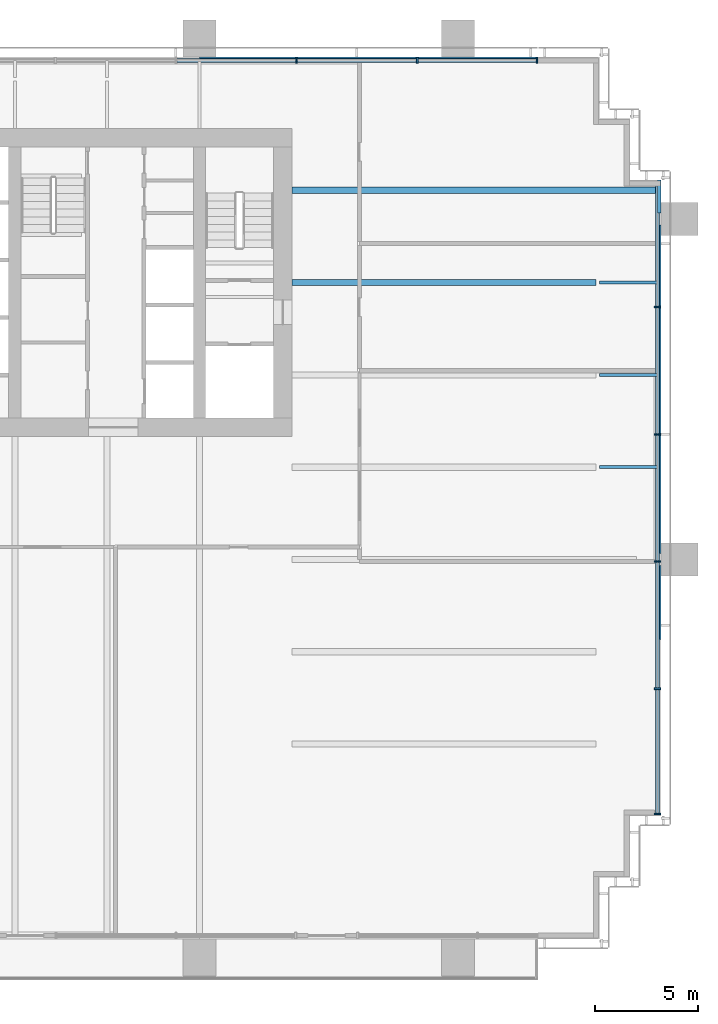
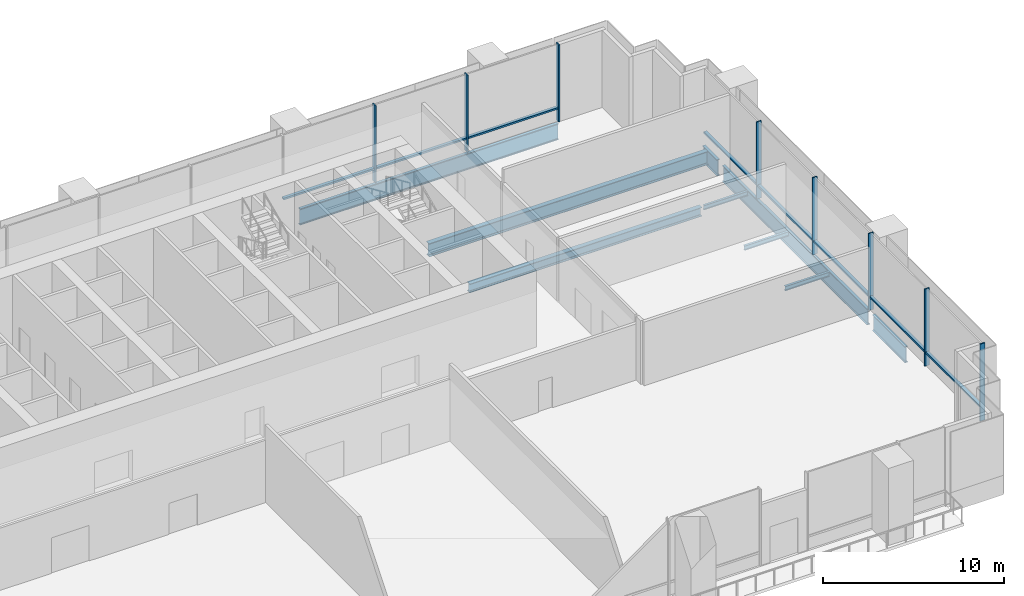
# One storey, part 5 of 15: 16 members, 9 beams, 2 elements without a shape of their own.
"""IFC4 building model written with IfcOpenShell, lengths in metres."""

from ifc_helpers import new_model, si_unit, direction, frame, origin, origin_2d, place, context, subcontext, project, spatial, rectangle, i_section, extrude, material, layer, layer_set, material_profile, profile_set, type_object, element, aggregate, save


model = new_model("IFC4")

# Units and contexts
model_context = context("Model", 3, precision=1e-05, world=origin(), true_north=direction((0.0, 1.0)))
body_context = subcontext(model_context, "Body", "Model", "MODEL_VIEW")
ifc_project = project(units=[si_unit("LENGTHUNIT", "METRE"), si_unit("AREAUNIT", "SQUARE_METRE"), si_unit("VOLUMEUNIT", "CUBIC_METRE"), si_unit("PLANEANGLEUNIT", "RADIAN"), si_unit("MASSUNIT", "GRAM", prefix="KILO")], contexts=[model_context])

# Site, building, storey
site_placement = place(None, origin())
site = spatial("IfcSite", under=ifc_project, at=site_placement, CompositionType="ELEMENT")
building_placement = place(site_placement, origin())
building = spatial("IfcBuilding", under=site, at=building_placement, Name="Rattan Terrace Tower", CompositionType="ELEMENT")
storey_placement = place(building_placement, frame((0.0, 0.0, 74.300048828125)))
storey = spatial("IfcBuildingStorey", under=building, at=storey_placement, Name="L16", CompositionType="ELEMENT", Elevation=74.300048828125)

# Beams
ifc_material_1 = material(Name="Steel S460", Category="steel")
ifc_material_profile_1 = material_profile(ifc_material_1, i_section(OverallWidth=0.179931640625, OverallDepth=1.10009765625, WebThickness=0.01611328125, FlangeThickness=0.050048828125, at=origin_2d()), Name="PG 1100x180-16-50")
ifc_profile_set_1 = profile_set([ifc_material_profile_1], Name="Steel S460")
beam_type_1 = type_object("IfcBeamType", Name="Frame edge girder PG 1100x180-16-50", PredefinedType="SPANDREL", material=ifc_profile_set_1)
beam_1_placement = place(storey_placement, frame((35.909912109375, -13.800048828125, -0.75), z_axis=(0.0, -1.0, 0.0), x_axis=(1.0, 0.0, 0.0)))
element("IfcBeam", 1, at=beam_1_placement, inside=storey, type_object=beam_type_1, Name="gdr-L16-005", PredefinedType="SPANDREL", context=body_context, shape_type="SweptSolid", body=[
    extrude(i_section(OverallWidth=0.179931640625, OverallDepth=1.10009765625, WebThickness=0.01611328125, FlangeThickness=0.050048828125, at=origin_2d()), origin(), (0.0, 0.0, 1.0), 3.599853515625),
])
beam_2_placement = place(storey_placement, frame((35.909912109375, -13.199951171875, -0.75), z_axis=(0.0, 1.0, 0.0), x_axis=(-1.0, 0.0, 0.0)))
element("IfcBeam", 2, at=beam_2_placement, inside=storey, type_object=beam_type_1, Name="gdr-L16-006", PredefinedType="SPANDREL", context=body_context, shape_type="SweptSolid", body=[
    extrude(i_section(OverallWidth=0.179931640625, OverallDepth=1.10009765625, WebThickness=0.01611328125, FlangeThickness=0.050048828125, at=origin_2d()), origin(), (0.0, 0.0, 1.0), 16.0),
])
beam_3_placement = place(storey_placement, frame((35.909912109375, 3.39990234375, -0.75), z_axis=(0.0, 1.0, 0.0), x_axis=(-1.0, 0.0, 0.0)))
element("IfcBeam", 3, at=beam_3_placement, inside=storey, type_object=beam_type_1, Name="gdr-L16-009", PredefinedType="SPANDREL", context=body_context, shape_type="SweptSolid", body=[
    extrude(i_section(OverallWidth=0.179931640625, OverallDepth=1.10009765625, WebThickness=0.01611328125, FlangeThickness=0.050048828125, at=origin_2d()), origin(), (0.0, 0.0, 1.0), 1.60009765625),
])
beam_4_placement = place(storey_placement, frame((30.0, 10.909912109375, -0.75), z_axis=(-1.0, 0.0, 0.0), x_axis=(0.0, -1.0, 0.0)))
element("IfcBeam", 4, at=beam_4_placement, inside=storey, type_object=beam_type_1, Name="gdr-L16-012", PredefinedType="SPANDREL", context=body_context, shape_type="SweptSolid", body=[
    extrude(i_section(OverallWidth=0.179931640625, OverallDepth=1.10009765625, WebThickness=0.01611328125, FlangeThickness=0.050048828125, at=origin_2d()), origin(), (0.0, 0.0, 1.0), 16.5),
])
ifc_material_2 = material(Name="Steel S355", Category="steel")
ifc_material_profile_2 = material_profile(ifc_material_2, i_section(OverallWidth=0.300048828125, OverallDepth=0.60009765625, WebThickness=0.015380859375, FlangeThickness=0.030029296875, FilletRadius=0.027099609375, at=origin_2d()), Name="HE 600 B")
ifc_profile_set_2 = profile_set([ifc_material_profile_2], Name="Steel S355")
beam_type_2 = type_object("IfcBeamType", Name="Frame floor beam HE 600 B", PredefinedType="JOIST", material=ifc_profile_set_2)
beam_5_placement = place(storey_placement, frame((18.0, 0.0, -0.5), z_axis=(1.0, 0.0, 0.0), x_axis=(0.0, 1.0, 0.0)))
element("IfcBeam", 5, at=beam_5_placement, inside=storey, type_object=beam_type_2, Name="bm-L16-020", PredefinedType="JOIST", context=body_context, shape_type="SweptSolid", body=[
    extrude(i_section(OverallWidth=0.300048828125, OverallDepth=0.60009765625, WebThickness=0.015380859375, FlangeThickness=0.030029296875, FilletRadius=0.027099609375, at=origin_2d()), origin(), (0.0, 0.0, 1.0), 14.820068359375),
])
ifc_material_3 = material(Name="Steel S355", Category="steel")
ifc_material_profile_3 = material_profile(ifc_material_3, i_section(OverallWidth=0.300048828125, OverallDepth=0.89990234375, WebThickness=0.0185546875, FlangeThickness=0.034912109375, FilletRadius=0.030029296875, at=origin_2d()), Name="HE 900 B")
ifc_profile_set_3 = profile_set([ifc_material_profile_3], Name="Steel S355")
beam_type_3 = type_object("IfcBeamType", Name="Frame floor beam HE 900 B", PredefinedType="JOIST", material=ifc_profile_set_3)
beam_6_placement = place(storey_placement, frame((18.0, 4.5, -0.650146484375), z_axis=(1.0, 0.0, 0.0), x_axis=(0.0, 1.0, 0.0)))
element("IfcBeam", 6, at=beam_6_placement, inside=storey, type_object=beam_type_3, Name="bm-L16-023", PredefinedType="JOIST", context=body_context, shape_type="SweptSolid", body=[
    extrude(i_section(OverallWidth=0.300048828125, OverallDepth=0.89990234375, WebThickness=0.0185546875, FlangeThickness=0.034912109375, FilletRadius=0.030029296875, at=origin_2d()), origin(), (0.0, 0.0, 1.0), 17.820068359375),
])
ifc_material_4 = material(Name="Steel S355", Category="steel")
ifc_material_profile_4 = material_profile(ifc_material_4, i_section(OverallWidth=0.14990234375, OverallDepth=0.300048828125, WebThickness=0.007080078125, FlangeThickness=0.0107421875, FilletRadius=0.014892578125, at=origin_2d()), Name="IPE 300")
ifc_profile_set_4 = profile_set([ifc_material_profile_4], Name="Steel S355")
beam_type_4 = type_object("IfcBeamType", Name="Frame floor beam IPE 300", PredefinedType="JOIST", material=ifc_profile_set_4)
for number, where, z_axis, x_axis, name in (
    (7, (33.0, -9.0, -0.35009765625), (1.0, 0.0, 0.0), (0.0, 1.0, 0.0), "bm-L16-015"),
    (8, (33.0, -4.5, -0.35009765625), (1.0, 0.0, 0.0), (0.0, 1.0, 0.0), "bm-L16-018"),
    (9, (33.0, 0.0, -0.35009765625), (1.0, 0.0, 0.0), (0.0, 1.0, 0.0), "bm-L16-021"),
):
    element("IfcBeam", number, at=place(storey_placement, frame(where, z_axis=z_axis, x_axis=x_axis)), inside=storey, type_object=beam_type_4, Name=name, PredefinedType="JOIST", context=body_context, shape_type="SweptSolid", body=[
        extrude(i_section(OverallWidth=0.14990234375, OverallDepth=0.300048828125, WebThickness=0.007080078125, FlangeThickness=0.0107421875, FilletRadius=0.014892578125, at=origin_2d()), origin(), (0.0, 0.0, 1.0), 2.820068359375),
    ])

# Curtain wall, members
ifc_material_5 = material(Name="Steel fins, aluminium and glass", Category="steel")
ifc_layer = layer(ifc_material_5, 0.300048828125)
ifc_layer_set = layer_set([ifc_layer], Name="Sky Lobby Stick Curtain Wall")
curtain_wall_type = type_object("IfcCurtainWallType", Name="Sky Lobby Stick Curtain Wall", PredefinedType="NOTDEFINED", material=ifc_layer_set)
curtain_wall_1_placement = place(storey_placement, origin())
curtain_wall_1 = element("IfcCurtainWall", 10, at=curtain_wall_1_placement, inside=storey, type_object=curtain_wall_type, Name="Sky lobby curtain wall L16-1", PredefinedType="NOTDEFINED")
ifc_material_6 = material(Name="Steel S355", Category="steel")
ifc_material_profile_5 = material_profile(ifc_material_6, rectangle(XDim=0.080078125, YDim=0.300048828125, at=origin_2d()), Name="Steel S355 80x300")
ifc_profile_set_5 = profile_set([ifc_material_profile_5], Name="Steel S355")
member_type_1 = type_object("IfcMemberType", Name="Sky Lobby CW Fin 80x300", PredefinedType="MULLION", material=ifc_profile_set_5)
member_1_placement = place(storey_placement, frame((35.830078125, -25.9150390625, 0.0), z_axis=(0.0, 0.0, 1.0), x_axis=(0.0, 1.0, 0.0)))
member_1 = element("IfcMember", 11, at=member_1_placement, type_object=member_type_1, Name="Mullion cwl-L16-001.1", PredefinedType="MULLION", context=body_context, shape_type="SweptSolid", body=[
    extrude(rectangle(XDim=0.080078125, YDim=0.300048828125, at=origin_2d()), origin(), (0.0, 0.0, 1.0), 5.199951171875),
])
member_2_placement = place(storey_placement, frame((35.830078125, -19.800048828125, 0.0), z_axis=(0.0, 0.0, 1.0), x_axis=(0.0, 1.0, 0.0)))
member_2 = element("IfcMember", 12, at=member_2_placement, type_object=member_type_1, Name="Mullion cwl-L16-001.2", PredefinedType="MULLION", context=body_context, shape_type="SweptSolid", body=[
    extrude(rectangle(XDim=0.080078125, YDim=0.300048828125, at=origin_2d()), origin(), (0.0, 0.0, 1.0), 5.199951171875),
])
member_3_placement = place(storey_placement, frame((35.830078125, -13.60009765625, 0.0), z_axis=(0.0, 0.0, 1.0), x_axis=(0.0, 1.0, 0.0)))
member_3 = element("IfcMember", 13, at=member_3_placement, type_object=member_type_1, Name="Mullion cwl-L16-001.3", PredefinedType="MULLION", context=body_context, shape_type="SweptSolid", body=[
    extrude(rectangle(XDim=0.080078125, YDim=0.300048828125, at=origin_2d()), origin(), (0.0, 0.0, 1.0), 5.199951171875),
])
member_4_placement = place(storey_placement, frame((35.830078125, -7.39990234375, 0.0), z_axis=(0.0, 0.0, 1.0), x_axis=(0.0, 1.0, 0.0)))
member_4 = element("IfcMember", 14, at=member_4_placement, type_object=member_type_1, Name="Mullion cwl-L16-001.4", PredefinedType="MULLION", context=body_context, shape_type="SweptSolid", body=[
    extrude(rectangle(XDim=0.080078125, YDim=0.300048828125, at=origin_2d()), origin(), (0.0, 0.0, 1.0), 5.199951171875),
])
member_5_placement = place(storey_placement, frame((35.830078125, -1.199951171875, 0.0), z_axis=(0.0, 0.0, 1.0), x_axis=(0.0, 1.0, 0.0)))
member_5 = element("IfcMember", 15, at=member_5_placement, type_object=member_type_1, Name="Mullion cwl-L16-001.5", PredefinedType="MULLION", context=body_context, shape_type="SweptSolid", body=[
    extrude(rectangle(XDim=0.080078125, YDim=0.300048828125, at=origin_2d()), origin(), (0.0, 0.0, 1.0), 5.199951171875),
])

curtain_wall_2_placement = place(storey_placement, origin())
curtain_wall_2 = element("IfcCurtainWall", 16, at=curtain_wall_2_placement, inside=storey, type_object=curtain_wall_type, Name="Sky lobby curtain wall L16-2", PredefinedType="NOTDEFINED")
member_6_placement = place(storey_placement, frame((29.9599609375, 10.830078125, 0.0), z_axis=(0.0, 0.0, 1.0), x_axis=(-1.0, 0.0, 0.0)))
member_6 = element("IfcMember", 17, at=member_6_placement, type_object=member_type_1, Name="Mullion cwl-L16-002.1", PredefinedType="MULLION", context=body_context, shape_type="SweptSolid", body=[
    extrude(rectangle(XDim=0.080078125, YDim=0.300048828125, at=origin_2d()), origin(), (0.0, 0.0, 1.0), 5.199951171875),
])
member_7_placement = place(storey_placement, frame((24.117919921875, 10.830078125, 0.0), z_axis=(0.0, 0.0, 1.0), x_axis=(-1.0, 0.0, 0.0)))
member_7 = element("IfcMember", 18, at=member_7_placement, type_object=member_type_1, Name="Mullion cwl-L16-002.2", PredefinedType="MULLION", context=body_context, shape_type="SweptSolid", body=[
    extrude(rectangle(XDim=0.080078125, YDim=0.300048828125, at=origin_2d()), origin(), (0.0, 0.0, 1.0), 5.199951171875),
])
member_8_placement = place(storey_placement, frame((18.236083984375, 10.830078125, 0.0), z_axis=(0.0, 0.0, 1.0), x_axis=(-1.0, 0.0, 0.0)))
member_8 = element("IfcMember", 19, at=member_8_placement, type_object=member_type_1, Name="Mullion cwl-L16-002.3", PredefinedType="MULLION", context=body_context, shape_type="SweptSolid", body=[
    extrude(rectangle(XDim=0.080078125, YDim=0.300048828125, at=origin_2d()), origin(), (0.0, 0.0, 1.0), 5.199951171875),
])

# Member
ifc_material_7 = material(Name="Aluminium", Category="aluminium")
ifc_material_profile_6 = material_profile(ifc_material_7, rectangle(XDim=0.199951171875, YDim=0.1201171875, at=origin_2d()), Name="Aluminium 200x120")
ifc_profile_set_6 = profile_set([ifc_material_profile_6], Name="Aluminium")
member_type_2 = type_object("IfcMemberType", Name="Sky Lobby CW Transom 200x120", PredefinedType="USERDEFINED", material=ifc_profile_set_6)
member_9_placement = place(storey_placement, frame((35.830078125, -25.875, 0.89990234375), z_axis=(0.0, 1.0, 0.0), x_axis=(-1.0, 0.0, 0.0)))
member_9 = element("IfcMember", 20, at=member_9_placement, type_object=member_type_2, Name="Transom cwl-L16-001.1", ObjectType="TRANSOM", PredefinedType="USERDEFINED", context=body_context, shape_type="SweptSolid", body=[
    extrude(rectangle(XDim=0.199951171875, YDim=0.1201171875, at=origin_2d()), origin(), (0.0, 0.0, 1.0), 6.034912109375),
])

member_10_placement = place(storey_placement, frame((35.830078125, -19.760009765625, 0.89990234375), z_axis=(0.0, 1.0, 0.0), x_axis=(-1.0, 0.0, 0.0)))
member_10 = element("IfcMember", 21, at=member_10_placement, type_object=member_type_2, Name="Transom cwl-L16-001.2", ObjectType="TRANSOM", PredefinedType="USERDEFINED", context=body_context, shape_type="SweptSolid", body=[
    extrude(rectangle(XDim=0.199951171875, YDim=0.1201171875, at=origin_2d()), origin(), (0.0, 0.0, 1.0), 6.1201171875),
])

member_11_placement = place(storey_placement, frame((35.830078125, -13.56005859375, 0.89990234375), z_axis=(0.0, 1.0, 0.0), x_axis=(-1.0, 0.0, 0.0)))
member_11 = element("IfcMember", 22, at=member_11_placement, type_object=member_type_2, Name="Transom cwl-L16-001.3", ObjectType="TRANSOM", PredefinedType="USERDEFINED", context=body_context, shape_type="SweptSolid", body=[
    extrude(rectangle(XDim=0.199951171875, YDim=0.1201171875, at=origin_2d()), origin(), (0.0, 0.0, 1.0), 6.1201171875),
])

member_12_placement = place(storey_placement, frame((35.830078125, -7.360107421875, 0.89990234375), z_axis=(0.0, 1.0, 0.0), x_axis=(-1.0, 0.0, 0.0)))
member_12 = element("IfcMember", 23, at=member_12_placement, type_object=member_type_2, Name="Transom cwl-L16-001.4", ObjectType="TRANSOM", PredefinedType="USERDEFINED", context=body_context, shape_type="SweptSolid", body=[
    extrude(rectangle(XDim=0.199951171875, YDim=0.1201171875, at=origin_2d()), origin(), (0.0, 0.0, 1.0), 6.1201171875),
])

member_13_placement = place(storey_placement, frame((35.830078125, -1.159912109375, 0.89990234375), z_axis=(0.0, 1.0, 0.0), x_axis=(-1.0, 0.0, 0.0)))
member_13 = element("IfcMember", 24, at=member_13_placement, type_object=member_type_2, Name="Transom cwl-L16-001.5", ObjectType="TRANSOM", PredefinedType="USERDEFINED", context=body_context, shape_type="SweptSolid", body=[
    extrude(rectangle(XDim=0.199951171875, YDim=0.1201171875, at=origin_2d()), origin(), (0.0, 0.0, 1.0), 5.864990234375),
])

aggregate(curtain_wall_1, [member_1, member_2, member_3, member_4, member_5, member_9, member_10, member_11, member_12, member_13])

member_14_placement = place(storey_placement, frame((29.919921875, 10.830078125, 0.89990234375), z_axis=(-1.0, 0.0, 0.0), x_axis=(0.0, -1.0, 0.0)))
member_14 = element("IfcMember", 25, at=member_14_placement, type_object=member_type_2, Name="Transom cwl-L16-002.1", ObjectType="TRANSOM", PredefinedType="USERDEFINED", context=body_context, shape_type="SweptSolid", body=[
    extrude(rectangle(XDim=0.199951171875, YDim=0.1201171875, at=origin_2d()), origin(), (0.0, 0.0, 1.0), 5.761962890625),
])

member_15_placement = place(storey_placement, frame((24.077880859375, 10.830078125, 0.89990234375), z_axis=(-1.0, 0.0, 0.0), x_axis=(0.0, -1.0, 0.0)))
member_15 = element("IfcMember", 26, at=member_15_placement, type_object=member_type_2, Name="Transom cwl-L16-002.2", ObjectType="TRANSOM", PredefinedType="USERDEFINED", context=body_context, shape_type="SweptSolid", body=[
    extrude(rectangle(XDim=0.199951171875, YDim=0.1201171875, at=origin_2d()), origin(), (0.0, 0.0, 1.0), 5.802001953125),
])

member_16_placement = place(storey_placement, frame((18.196044921875, 10.830078125, 0.89990234375), z_axis=(-1.0, 0.0, 0.0), x_axis=(0.0, -1.0, 0.0)))
member_16 = element("IfcMember", 27, at=member_16_placement, type_object=member_type_2, Name="Transom cwl-L16-002.3", ObjectType="TRANSOM", PredefinedType="USERDEFINED", context=body_context, shape_type="SweptSolid", body=[
    extrude(rectangle(XDim=0.199951171875, YDim=0.1201171875, at=origin_2d()), origin(), (0.0, 0.0, 1.0), 5.802001953125),
])

aggregate(curtain_wall_2, [member_6, member_7, member_8, member_14, member_15, member_16])

save(model, "model.ifc")
